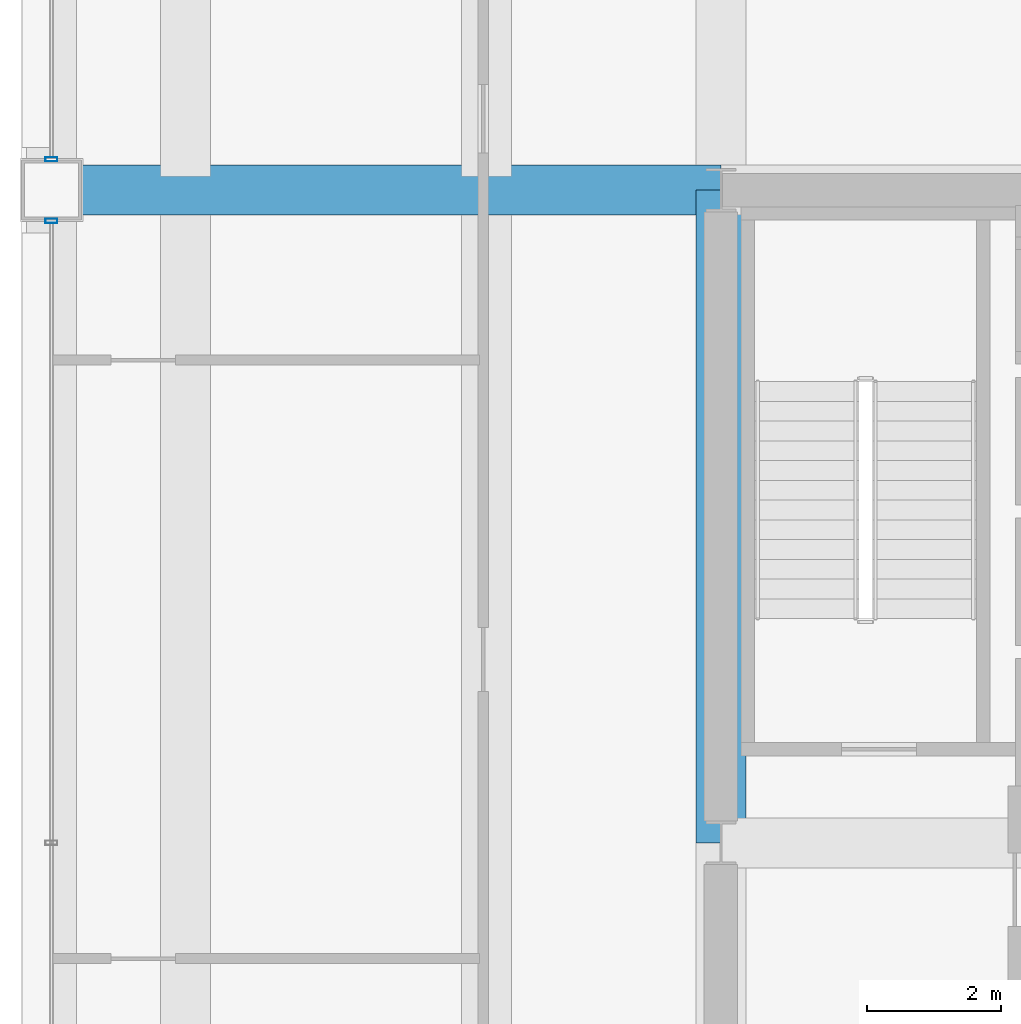
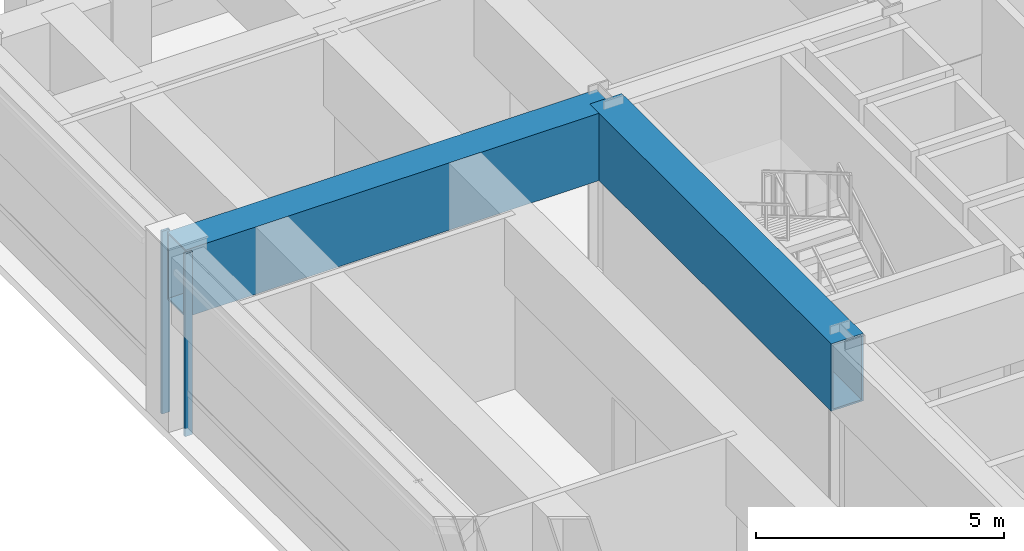
# One storey, part 9 of 29: 2 beams, 2 members, 2 elements without a shape of their own.
"""IFC4 building model written with IfcOpenShell, lengths in metres."""

from ifc_helpers import new_model, si_unit, direction, frame, origin, origin_2d, place, context, subcontext, project, spatial, hollow_rectangle, extrude, material, layer, layer_set, material_profile, profile_set, type_object, element, aggregate, save


model = new_model("IFC4")

# Units and contexts
model_context = context("Model", 3, precision=1e-05, world=origin(), true_north=direction((0.0, 1.0)))
body_context = subcontext(model_context, "Body", "Model", "MODEL_VIEW")
ifc_project = project(units=[si_unit("LENGTHUNIT", "METRE"), si_unit("AREAUNIT", "SQUARE_METRE"), si_unit("VOLUMEUNIT", "CUBIC_METRE"), si_unit("PLANEANGLEUNIT", "RADIAN"), si_unit("MASSUNIT", "GRAM", prefix="KILO")], contexts=[model_context])

# Site, building, storey
site_placement = place(None, origin())
site = spatial("IfcSite", under=ifc_project, at=site_placement, CompositionType="ELEMENT")
building_placement = place(site_placement, origin())
building = spatial("IfcBuilding", under=site, at=building_placement, Name="Brelmoor Portico Tower", CompositionType="ELEMENT")
storey_placement = place(building_placement, frame((0.0, 0.0, 82.800048828125)))
storey = spatial("IfcBuildingStorey", under=building, at=storey_placement, Name="L21", CompositionType="ELEMENT", Elevation=82.800048828125)

# Beams
ifc_material_1 = material(Name="Steel Q355B", Category="steel")
ifc_material_profile_1 = material_profile(ifc_material_1, hollow_rectangle(XDim=0.75, YDim=1.659912109375, WallThickness=0.0419921875, at=origin_2d()), Name="BOX 750x1660x42")
ifc_profile_set_1 = profile_set([ifc_material_profile_1], Name="Steel Q355B")
beam_type = type_object("IfcBeamType", Name="BM-TG-Z2", PredefinedType="BEAM", material=ifc_profile_set_1)
beam_1_placement = place(storey_placement, frame((-14.550048828125, 0.0, 3.469970703125), z_axis=(0.0, 1.0, 0.0), x_axis=(-1.0, 0.0, 0.0)))
element("IfcBeam", 1, at=beam_1_placement, inside=storey, type_object=beam_type, Name="L21 Setback Transfer Girder PG-05", PredefinedType="BEAM", context=body_context, shape_type="SweptSolid", body=[
    extrude(hollow_rectangle(XDim=0.75, YDim=1.659912109375, WallThickness=0.0419921875, at=origin_2d()), origin(), (0.0, 0.0, 1.0), 9.75),
])
beam_2_placement = place(storey_placement, frame((-24.550048828125, 9.75, 3.469970703125), z_axis=(1.0, 0.0, 0.0), x_axis=(0.0, 1.0, 0.0)))
element("IfcBeam", 2, at=beam_2_placement, inside=storey, type_object=beam_type, Name="L21 Setback Transfer Girder PG-27", PredefinedType="BEAM", context=body_context, shape_type="SweptSolid", body=[
    extrude(hollow_rectangle(XDim=0.75, YDim=1.659912109375, WallThickness=0.0419921875, at=origin_2d()), origin(), (0.0, 0.0, 1.0), 10.0),
])

# Curtain wall, member
ifc_material_2 = material(Name="Anodised Aluminium Alloy 6063-T6", Category="aluminium")
ifc_layer = layer(ifc_material_2, 0.179931640625)
ifc_layer_set = layer_set([ifc_layer], Name="Anodised Aluminium Alloy 6063-T6")
curtain_wall_type = type_object("IfcCurtainWallType", Name="CW-TOWER-Z1", PredefinedType="NOTDEFINED", material=ifc_layer_set)
curtain_wall_1_placement = place(storey_placement, origin())
curtain_wall_1 = element("IfcCurtainWall", 3, at=curtain_wall_1_placement, inside=storey, type_object=curtain_wall_type, Name="L21 Curtain Wall CW-L21-03-2", PredefinedType="NOTDEFINED")
ifc_material_profile_2 = material_profile(ifc_material_2, hollow_rectangle(XDim=0.06494140625, YDim=0.179931640625, WallThickness=0.00390625, at=origin_2d()), Name="ALU MULLION 65x180")
ifc_profile_set_2 = profile_set([ifc_material_profile_2], Name="Anodised Aluminium Alloy 6063-T6")
member_type = type_object("IfcMemberType", Name="MB-CW-MULL-180", PredefinedType="MULLION", material=ifc_profile_set_2)
member_1_placement = place(storey_placement, frame((-24.550048828125, 9.2900390625, -0.199951171875), z_axis=(0.0, 0.0, 1.0), x_axis=(0.0, 1.0, 0.0)))
member_1 = element("IfcMember", 4, at=member_1_placement, type_object=member_type, Name="CW-L21-03-2 Mullion 02", PredefinedType="MULLION", context=body_context, shape_type="SweptSolid", body=[
    extrude(hollow_rectangle(XDim=0.06494140625, YDim=0.179931640625, WallThickness=0.00390625, at=origin_2d()), origin(), (0.0, 0.0, 1.0), 4.5),
])
aggregate(curtain_wall_1, [member_1])

curtain_wall_2_placement = place(storey_placement, origin())
curtain_wall_2 = element("IfcCurtainWall", 5, at=curtain_wall_2_placement, inside=storey, type_object=curtain_wall_type, Name="L21 Curtain Wall CW-L21-03-3", PredefinedType="NOTDEFINED")
member_2_placement = place(storey_placement, frame((-24.550048828125, 10.2099609375, -0.199951171875), z_axis=(0.0, 0.0, 1.0), x_axis=(0.0, 1.0, 0.0)))
member_2 = element("IfcMember", 6, at=member_2_placement, type_object=member_type, Name="CW-L21-03-3 Mullion 00", PredefinedType="MULLION", context=body_context, shape_type="SweptSolid", body=[
    extrude(hollow_rectangle(XDim=0.06494140625, YDim=0.179931640625, WallThickness=0.00390625, at=origin_2d()), origin(), (0.0, 0.0, 1.0), 4.5),
])
aggregate(curtain_wall_2, [member_2])

save(model, "model.ifc")
